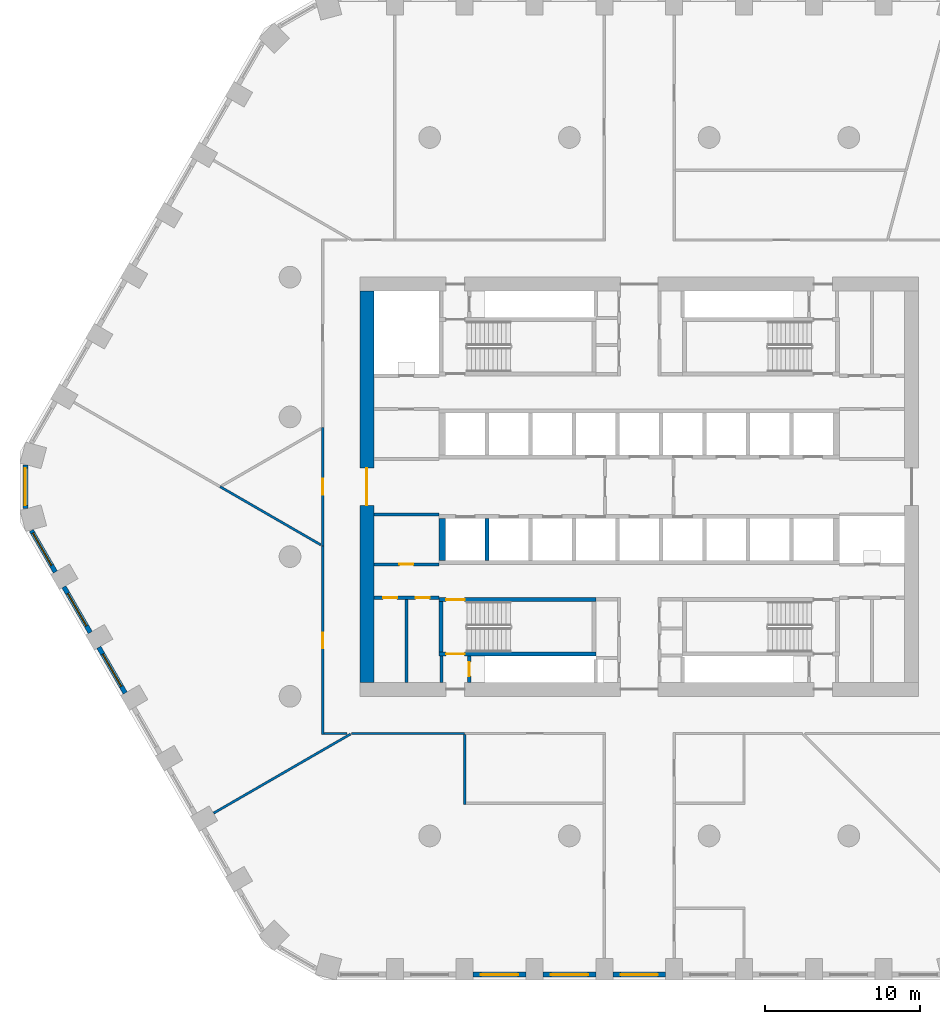
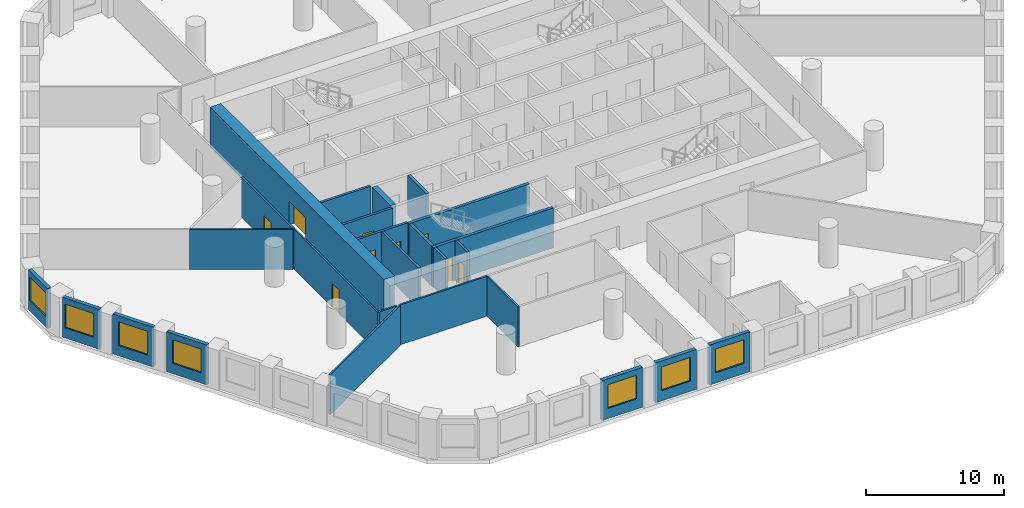
# One storey, part 2 of 10: 26 walls, 9 doors, 7 windows, 16 openings.
"""IFC4 building model written with IfcOpenShell, lengths in metres."""

from ifc_helpers import new_model, si_unit, direction, frame, frame_2d, origin, place, context, subcontext, project, spatial, polyline, rectangle, outline, extrude, material, layer, layer_set, type_object, element, fill, save


model = new_model("IFC4")

# Units and contexts
model_context = context("Model", 3, precision=1e-05, world=origin(), true_north=direction((0.0, 1.0)))
body_context = subcontext(model_context, "Body", "Model", "MODEL_VIEW")
ifc_project = project(units=[si_unit("LENGTHUNIT", "METRE"), si_unit("AREAUNIT", "SQUARE_METRE"), si_unit("VOLUMEUNIT", "CUBIC_METRE"), si_unit("PLANEANGLEUNIT", "RADIAN"), si_unit("MASSUNIT", "GRAM", prefix="KILO")], contexts=[model_context])

# Site, building, storey
site_placement = place(None, origin())
site = spatial("IfcSite", under=ifc_project, at=site_placement, CompositionType="ELEMENT")
building_placement = place(site_placement, origin())
building = spatial("IfcBuilding", under=site, at=building_placement, Name="Dhurran Vertical Campus", CompositionType="ELEMENT")
storey_placement = place(building_placement, frame((0.0, 0.0, 45.60009765625)))
storey = spatial("IfcBuildingStorey", under=building, at=storey_placement, Name="L10", CompositionType="ELEMENT", Elevation=45.60009765625)

# Wall, opening, window
ifc_material_1 = material(Name="Precast concrete C50/60", Category="concrete")
ifc_layer_1 = layer(ifc_material_1, 0.300048828125)
ifc_layer_set_1 = layer_set([ifc_layer_1], Name="Precast concrete C50/60")
wall_type_1 = type_object("IfcWallType", Name="Precast spandrel wall 300", PredefinedType="SOLIDWALL", material=ifc_layer_set_1)
wall_1_placement = place(storey_placement, frame((-10.699462890625, -31.4296875, 0.0), z_axis=(0.0, 0.0, 1.0), x_axis=(1.0, 0.0, 0.0)))
wall_1 = element("IfcWall", 1, at=wall_1_placement, inside=storey, type_object=wall_type_1, Name="EW1 L10.02", PredefinedType="SOLIDWALL", context=body_context, shape_type="SweptSolid", body=[
    extrude(rectangle(XDim=3.39892578125, YDim=0.300048828125, at=frame_2d((1.699462890625, 0.0))), origin(), (0.0, 0.0, 1.0), 3.52490234375),
])
opening_1_placement = place(wall_1_placement, frame((0.49951171875, 0.0, 0.89990234375)))
opening_1 = element("IfcOpeningElement", 2, at=opening_1_placement, cuts=wall_1, Name="Opening WT1", PredefinedType="OPENING", context=body_context, shape_type="SweptSolid", body=[
    extrude(rectangle(XDim=2.39990234375, YDim=2.10009765625, at=frame_2d((1.199951171875, 1.050048828125))), frame((0.0, 0.159912109375, 0.0), z_axis=(0.0, -1.0, 0.0), x_axis=(1.0, 0.0, 0.0)), (0.0, 0.0, 1.0), 0.320068359375),
])
ifc_material_2 = material(Name="Aluminium frame with solar-control glass", Category="aluminium")
window_type = type_object("IfcWindowType", Name="Punched window 2400 x 2100", PartitioningType="SINGLE_PANEL", PredefinedType="WINDOW", material=ifc_material_2)
window_1_placement = place(opening_1_placement, origin())
window_1 = element("IfcWindow", 3, at=window_1_placement, inside=storey, type_object=window_type, Name="WT1 L10.02", OverallHeight=2.10009765625, OverallWidth=2.39990234375, PartitioningType="SINGLE_PANEL", PredefinedType="WINDOW", context=body_context, shape_type="SweptSolid", body=[
    extrude(rectangle(XDim=2.39990234375, YDim=2.10009765625, at=frame_2d((1.199951171875, 1.050048828125))), frame((0.0, 0.030029296875, 0.0), z_axis=(0.0, -1.0, 0.0), x_axis=(1.0, 0.0, 0.0)), (0.0, 0.0, 1.0), 0.06005859375),
])
fill(opening_1, window_1)

wall_2_placement = place(storey_placement, frame((-6.199462890625, -31.4296875, 0.0), z_axis=(0.0, 0.0, 1.0), x_axis=(1.0, 0.0, 0.0)))
wall_2 = element("IfcWall", 4, at=wall_2_placement, inside=storey, type_object=wall_type_1, Name="EW1 L10.03", PredefinedType="SOLIDWALL", context=body_context, shape_type="SweptSolid", body=[
    extrude(rectangle(XDim=3.39892578125, YDim=0.300048828125, at=frame_2d((1.699462890625, 0.0))), origin(), (0.0, 0.0, 1.0), 3.52490234375),
])
opening_2_placement = place(wall_2_placement, frame((0.49951171875, 0.0, 0.89990234375)))
opening_2 = element("IfcOpeningElement", 5, at=opening_2_placement, cuts=wall_2, Name="Opening WT1", PredefinedType="OPENING", context=body_context, shape_type="SweptSolid", body=[
    extrude(rectangle(XDim=2.39990234375, YDim=2.10009765625, at=frame_2d((1.199951171875, 1.050048828125))), frame((0.0, 0.159912109375, 0.0), z_axis=(0.0, -1.0, 0.0), x_axis=(1.0, 0.0, 0.0)), (0.0, 0.0, 1.0), 0.320068359375),
])
window_2_placement = place(opening_2_placement, origin())
window_2 = element("IfcWindow", 6, at=window_2_placement, inside=storey, type_object=window_type, Name="WT1 L10.03", OverallHeight=2.10009765625, OverallWidth=2.39990234375, PartitioningType="SINGLE_PANEL", PredefinedType="WINDOW", context=body_context, shape_type="SweptSolid", body=[
    extrude(rectangle(XDim=2.39990234375, YDim=2.10009765625, at=frame_2d((1.199951171875, 1.050048828125))), frame((0.0, 0.030029296875, 0.0), z_axis=(0.0, -1.0, 0.0), x_axis=(1.0, 0.0, 0.0)), (0.0, 0.0, 1.0), 0.06005859375),
])
fill(opening_2, window_2)

wall_3_placement = place(storey_placement, frame((-1.699462890625, -31.4296875, 0.0), z_axis=(0.0, 0.0, 1.0), x_axis=(1.0, 0.0, 0.0)))
wall_3 = element("IfcWall", 7, at=wall_3_placement, inside=storey, type_object=wall_type_1, Name="EW1 L10.04", PredefinedType="SOLIDWALL", context=body_context, shape_type="SweptSolid", body=[
    extrude(rectangle(XDim=3.39892578125, YDim=0.300048828125, at=frame_2d((1.699462890625, 0.0))), origin(), (0.0, 0.0, 1.0), 3.52490234375),
])
opening_3_placement = place(wall_3_placement, frame((0.49951171875, 0.0, 0.89990234375)))
opening_3 = element("IfcOpeningElement", 8, at=opening_3_placement, cuts=wall_3, Name="Opening WT1", PredefinedType="OPENING", context=body_context, shape_type="SweptSolid", body=[
    extrude(rectangle(XDim=2.39990234375, YDim=2.10009765625, at=frame_2d((1.199951171875, 1.050048828125))), frame((0.0, 0.159912109375, 0.0), z_axis=(0.0, -1.0, 0.0), x_axis=(1.0, 0.0, 0.0)), (0.0, 0.0, 1.0), 0.320068359375),
])
window_3_placement = place(opening_3_placement, origin())
window_3 = element("IfcWindow", 9, at=window_3_placement, inside=storey, type_object=window_type, Name="WT1 L10.04", OverallHeight=2.10009765625, OverallWidth=2.39990234375, PartitioningType="SINGLE_PANEL", PredefinedType="WINDOW", context=body_context, shape_type="SweptSolid", body=[
    extrude(rectangle(XDim=2.39990234375, YDim=2.10009765625, at=frame_2d((1.199951171875, 1.050048828125))), frame((0.0, 0.030029296875, 0.0), z_axis=(0.0, -1.0, 0.0), x_axis=(1.0, 0.0, 0.0)), (0.0, 0.0, 1.0), 0.06005859375),
])
fill(opening_3, window_3)

wall_4_placement = place(storey_placement, frame((-39.547119140625, 1.39111328125, 0.0), z_axis=(0.0, 0.0, 1.0), x_axis=(0.0, -1.0, 0.0)))
wall_4 = element("IfcWall", 10, at=wall_4_placement, inside=storey, type_object=wall_type_1, Name="EW1 L10.43", PredefinedType="SOLIDWALL", context=body_context, shape_type="SweptSolid", body=[
    extrude(rectangle(XDim=2.7822265625, YDim=0.300048828125, at=frame_2d((1.39111328125, 0.0))), origin(), (0.0, 0.0, 1.0), 3.52490234375),
])
opening_4_placement = place(wall_4_placement, frame((0.191162109375, 0.0, 0.89990234375)))
opening_4 = element("IfcOpeningElement", 11, at=opening_4_placement, cuts=wall_4, Name="Opening WT1", PredefinedType="OPENING", context=body_context, shape_type="SweptSolid", body=[
    extrude(rectangle(XDim=2.39990234375, YDim=2.10009765625, at=frame_2d((1.199951171875, 1.050048828125))), frame((0.0, 0.159912109375, 0.0), z_axis=(0.0, -1.0, 0.0), x_axis=(1.0, 0.0, 0.0)), (0.0, 0.0, 1.0), 0.320068359375),
])
window_4_placement = place(opening_4_placement, origin())
window_4 = element("IfcWindow", 12, at=window_4_placement, inside=storey, type_object=window_type, Name="WT1 L10.43", OverallHeight=2.10009765625, OverallWidth=2.39990234375, PartitioningType="SINGLE_PANEL", PredefinedType="WINDOW", context=body_context, shape_type="SweptSolid", body=[
    extrude(rectangle(XDim=2.39990234375, YDim=2.10009765625, at=frame_2d((1.199951171875, 1.050048828125))), frame((0.0, 0.030029296875, 0.0), z_axis=(0.0, -1.0, 0.0), x_axis=(1.0, 0.0, 0.0)), (0.0, 0.0, 1.0), 0.06005859375),
])
fill(opening_4, window_4)

wall_5_placement = place(storey_placement, frame((-39.16455078125, -2.81884765625, 0.0), z_axis=(0.0, 0.0, 1.0), x_axis=(0.49997090907, -0.866042198789, 0.0)))
wall_5 = element("IfcWall", 13, at=wall_5_placement, inside=storey, type_object=wall_type_1, Name="EW1 L10.44", PredefinedType="SOLIDWALL", context=body_context, shape_type="SweptSolid", body=[
    extrude(rectangle(XDim=3.090576171875, YDim=0.300048828125, at=frame_2d((1.54541015625, 0.0))), origin(), (0.0, 0.0, 1.0), 3.52490234375),
])
opening_5_placement = place(wall_5_placement, frame((0.19091796875, 0.0, 0.89990234375)))
opening_5 = element("IfcOpeningElement", 14, at=opening_5_placement, cuts=wall_5, Name="Opening WT1", PredefinedType="OPENING", context=body_context, shape_type="SweptSolid", body=[
    extrude(rectangle(XDim=2.39990234375, YDim=2.10009765625, at=frame_2d((1.199951171875, 1.050048828125))), frame((0.0, 0.159912109375, 0.0), z_axis=(0.0, -1.0, 0.0), x_axis=(1.0, 0.0, 0.0)), (0.0, 0.0, 1.0), 0.320068359375),
])
window_5_placement = place(opening_5_placement, origin())
window_5 = element("IfcWindow", 15, at=window_5_placement, inside=storey, type_object=window_type, Name="WT1 L10.44", OverallHeight=2.10009765625, OverallWidth=2.39990234375, PartitioningType="SINGLE_PANEL", PredefinedType="WINDOW", context=body_context, shape_type="SweptSolid", body=[
    extrude(rectangle(XDim=2.39990234375, YDim=2.10009765625, at=frame_2d((1.199951171875, 1.050048828125))), frame((0.0, 0.030029296875, 0.0), z_axis=(0.0, -1.0, 0.0), x_axis=(1.0, 0.0, 0.0)), (0.0, 0.0, 1.0), 0.06005859375),
])
fill(opening_5, window_5)

wall_6_placement = place(storey_placement, frame((-37.06884765625, -6.448974609375, 0.0), z_axis=(0.0, 0.0, 1.0), x_axis=(0.499993955907, -0.866028893315, 0.0)))
wall_6 = element("IfcWall", 16, at=wall_6_placement, inside=storey, type_object=wall_type_1, Name="EW1 L10.45", PredefinedType="SOLIDWALL", context=body_context, shape_type="SweptSolid", body=[
    extrude(rectangle(XDim=3.39892578125, YDim=0.300048828125, at=frame_2d((1.699462890625, 0.0))), origin(), (0.0, 0.0, 1.0), 3.52490234375),
])
opening_6_placement = place(wall_6_placement, frame((0.49951171875, 0.0, 0.89990234375)))
opening_6 = element("IfcOpeningElement", 17, at=opening_6_placement, cuts=wall_6, Name="Opening WT1", PredefinedType="OPENING", context=body_context, shape_type="SweptSolid", body=[
    extrude(rectangle(XDim=2.39990234375, YDim=2.10009765625, at=frame_2d((1.199951171875, 1.050048828125))), frame((0.0, 0.159912109375, 0.0), z_axis=(0.0, -1.0, 0.0), x_axis=(1.0, 0.0, 0.0)), (0.0, 0.0, 1.0), 0.320068359375),
])
window_6_placement = place(opening_6_placement, origin())
window_6 = element("IfcWindow", 18, at=window_6_placement, inside=storey, type_object=window_type, Name="WT1 L10.45", OverallHeight=2.10009765625, OverallWidth=2.39990234375, PartitioningType="SINGLE_PANEL", PredefinedType="WINDOW", context=body_context, shape_type="SweptSolid", body=[
    extrude(rectangle(XDim=2.39990234375, YDim=2.10009765625, at=frame_2d((1.199951171875, 1.050048828125))), frame((0.0, 0.030029296875, 0.0), z_axis=(0.0, -1.0, 0.0), x_axis=(1.0, 0.0, 0.0)), (0.0, 0.0, 1.0), 0.06005859375),
])
fill(opening_6, window_6)

wall_7_placement = place(storey_placement, frame((-34.81884765625, -10.345947265625, 0.0), z_axis=(0.0, 0.0, 1.0), x_axis=(0.499993955907, -0.866028893315, 0.0)))
wall_7 = element("IfcWall", 19, at=wall_7_placement, inside=storey, type_object=wall_type_1, Name="EW1 L10.46", PredefinedType="SOLIDWALL", context=body_context, shape_type="SweptSolid", body=[
    extrude(rectangle(XDim=3.39892578125, YDim=0.300048828125, at=frame_2d((1.699462890625, 0.0))), origin(), (0.0, 0.0, 1.0), 3.52490234375),
])
opening_7_placement = place(wall_7_placement, frame((0.49951171875, 0.0, 0.89990234375)))
opening_7 = element("IfcOpeningElement", 20, at=opening_7_placement, cuts=wall_7, Name="Opening WT1", PredefinedType="OPENING", context=body_context, shape_type="SweptSolid", body=[
    extrude(rectangle(XDim=2.39990234375, YDim=2.10009765625, at=frame_2d((1.199951171875, 1.050048828125))), frame((0.0, 0.159912109375, 0.0), z_axis=(0.0, -1.0, 0.0), x_axis=(1.0, 0.0, 0.0)), (0.0, 0.0, 1.0), 0.320068359375),
])
window_7_placement = place(opening_7_placement, origin())
window_7 = element("IfcWindow", 21, at=window_7_placement, inside=storey, type_object=window_type, Name="WT1 L10.46", OverallHeight=2.10009765625, OverallWidth=2.39990234375, PartitioningType="SINGLE_PANEL", PredefinedType="WINDOW", context=body_context, shape_type="SweptSolid", body=[
    extrude(rectangle(XDim=2.39990234375, YDim=2.10009765625, at=frame_2d((1.199951171875, 1.050048828125))), frame((0.0, 0.030029296875, 0.0), z_axis=(0.0, -1.0, 0.0), x_axis=(1.0, 0.0, 0.0)), (0.0, 0.0, 1.0), 0.06005859375),
])
fill(opening_7, window_7)

# Wall, opening, door
ifc_material_3 = material(Name="Concrete C60/75", Category="concrete")
ifc_layer_2 = layer(ifc_material_3, 0.89990234375)
ifc_layer_set_2 = layer_set([ifc_layer_2], Name="Concrete C60/75")
wall_type_2 = type_object("IfcWallType", Name="co-CORE-WALL-C0-900", PredefinedType="SHEAR", material=ifc_layer_set_2)
wall_8_placement = place(storey_placement, frame((-17.550048828125, -12.60009765625, 0.0), z_axis=(0.0, 0.0, 1.0), x_axis=(0.0, 1.0, 0.0)))
wall_8 = element("IfcWall", 22, at=wall_8_placement, inside=storey, type_object=wall_type_2, Name="Core wall W L10", PredefinedType="SHEAR", context=body_context, shape_type="SweptSolid", body=[
    extrude(rectangle(XDim=25.2001953125, YDim=0.89990234375, at=frame_2d((12.60009765625, 0.0))), origin(), (0.0, 0.0, 1.0), 3.52490234375),
])
opening_8_placement = place(wall_8_placement, frame((11.39990234375, 0.0, 0.0)))
opening_8 = element("IfcOpeningElement", 23, at=opening_8_placement, cuts=wall_8, Name="Opening CL1", PredefinedType="OPENING", context=body_context, shape_type="SweptSolid", body=[
    extrude(rectangle(XDim=2.39990234375, YDim=2.10009765625, at=frame_2d((1.199951171875, 1.050048828125))), frame((0.0, 0.4599609375, 0.0), z_axis=(0.0, -1.0, 0.0), x_axis=(1.0, 0.0, 0.0)), (0.0, 0.0, 1.0), 0.919921875),
])
ifc_material_4 = material(Name="Fire-rated glazed door set")
door_type_1 = type_object("IfcDoorType", Name="co-D-LOBBY 2400x2100", OperationType="DOUBLE_DOOR_DOUBLE_SWING", PredefinedType="DOOR", material=ifc_material_4)
door_1_placement = place(opening_8_placement, origin())
door_1 = element("IfcDoor", 24, at=door_1_placement, inside=storey, type_object=door_type_1, Name="Lift lobby door W L10", OperationType="DOUBLE_DOOR_DOUBLE_SWING", OverallHeight=2.10009765625, OverallWidth=2.39990234375, PredefinedType="DOOR", context=body_context, shape_type="SweptSolid", body=[
    extrude(rectangle(XDim=2.39990234375, YDim=2.10009765625, at=frame_2d((1.199951171875, 1.050048828125))), frame((0.0, 0.02490234375, 0.0), z_axis=(0.0, -1.0, 0.0), x_axis=(1.0, 0.0, 0.0)), (0.0, 0.0, 1.0), 0.050048828125),
])
fill(opening_8, door_1)

# Wall
ifc_material_5 = material(Name="Fire-rated masonry blockwork", Category="masonry")
ifc_layer_3 = layer(ifc_material_5, 0.199951171875)
ifc_layer_set_3 = layer_set([ifc_layer_3], Name="Fire-rated masonry blockwork")
wall_type_3 = type_object("IfcWallType", Name="co-FIRE-PARTITION-200", PredefinedType="PARTITIONING", material=ifc_layer_set_3)
wall_9_placement = place(storey_placement, frame((-12.75, -12.60009765625, 0.0), z_axis=(0.0, 0.0, 1.0), x_axis=(0.0, 1.0, 0.0)))
element("IfcWall", 25, at=wall_9_placement, inside=storey, type_object=wall_type_3, Name="Core partition pass-ST3-o L10", PredefinedType="PARTITIONING", context=body_context, shape_type="SweptSolid", body=[
    extrude(rectangle(XDim=1.7001953125, YDim=0.199951171875, at=frame_2d((0.85009765625, 0.0))), origin(), (0.0, 0.0, 1.0), 3.52490234375),
])

# Wall, opening, door
wall_10_placement = place(storey_placement, frame((-10.949951171875, -12.60009765625, 0.0), z_axis=(0.0, 0.0, 1.0), x_axis=(0.0, 1.0, 0.0)))
wall_10 = element("IfcWall", 26, at=wall_10_placement, inside=storey, type_object=wall_type_3, Name="Core partition pass-ST3-i L10", PredefinedType="PARTITIONING", context=body_context, shape_type="SweptSolid", body=[
    extrude(rectangle(XDim=1.7001953125, YDim=0.199951171875, at=frame_2d((0.85009765625, 0.0))), origin(), (0.0, 0.0, 1.0), 3.52490234375),
])
opening_9_placement = place(wall_10_placement, frame((0.39990234375, 0.0, 0.0)))
opening_9 = element("IfcOpeningElement", 27, at=opening_9_placement, cuts=wall_10, Name="Opening T02-C12", PredefinedType="OPENING", context=body_context, shape_type="SweptSolid", body=[
    extrude(rectangle(XDim=0.89990234375, YDim=2.10009765625, at=frame_2d((0.449951171875, 1.050048828125))), frame((0.0, 0.10986328125, 0.0), z_axis=(0.0, -1.0, 0.0), x_axis=(1.0, 0.0, 0.0)), (0.0, 0.0, 1.0), 0.219970703125),
])
ifc_material_6 = material(Name="Fire-rated timber door set", Category="wood")
door_type_2 = type_object("IfcDoorType", Name="co-D-ROOM 900x2100", OperationType="SINGLE_SWING_LEFT", PredefinedType="DOOR", material=ifc_material_6)
door_2_placement = place(opening_9_placement, origin())
door_2 = element("IfcDoor", 28, at=door_2_placement, inside=storey, type_object=door_type_2, Name="Riser room door L10", OperationType="SINGLE_SWING_LEFT", OverallHeight=2.10009765625, OverallWidth=0.89990234375, PredefinedType="DOOR", context=body_context, shape_type="SweptSolid", body=[
    extrude(rectangle(XDim=0.89990234375, YDim=2.10009765625, at=frame_2d((0.449951171875, 1.050048828125))), frame((0.0, 0.02490234375, 0.0), z_axis=(0.0, -1.0, 0.0), x_axis=(1.0, 0.0, 0.0)), (0.0, 0.0, 1.0), 0.050048828125),
])
fill(opening_9, door_2)

# Wall
wall_11_placement = place(storey_placement, frame((-15.0, -12.60009765625, 0.0), z_axis=(0.0, 0.0, 1.0), x_axis=(0.0, 1.0, 0.0)))
element("IfcWall", 29, at=wall_11_placement, inside=storey, type_object=wall_type_3, Name="Core partition en-SW-cut0 L10", PredefinedType="PARTITIONING", context=body_context, shape_type="SweptSolid", body=[
    extrude(rectangle(XDim=5.4501953125, YDim=0.199951171875, at=frame_2d((2.72509765625, 0.0))), origin(), (0.0, 0.0, 1.0), 3.52490234375),
])

# Wall, openings, doors
wall_12_placement = place(storey_placement, frame((-17.10009765625, -7.14990234375, 0.0), z_axis=(0.0, 0.0, 1.0), x_axis=(1.0, 0.0, 0.0)))
wall_12 = element("IfcWall", 30, at=wall_12_placement, inside=storey, type_object=wall_type_3, Name="Core partition en-SW-w L10", PredefinedType="PARTITIONING", context=body_context, shape_type="SweptSolid", body=[
    extrude(rectangle(XDim=4.2001953125, YDim=0.199951171875, at=frame_2d((2.10009765625, 0.0))), origin(), (0.0, 0.0, 1.0), 3.52490234375),
])
opening_10_placement = place(wall_12_placement, frame((0.60009765625, 0.0, 0.0)))
opening_10 = element("IfcOpeningElement", 31, at=opening_10_placement, cuts=wall_12, Name="Opening T02-C19", PredefinedType="OPENING", context=body_context, shape_type="SweptSolid", body=[
    extrude(rectangle(XDim=0.89990234375, YDim=2.10009765625, at=frame_2d((0.449951171875, 1.050048828125))), frame((0.0, 0.10986328125, 0.0), z_axis=(0.0, -1.0, 0.0), x_axis=(1.0, 0.0, 0.0)), (0.0, 0.0, 1.0), 0.219970703125),
])
opening_11_placement = place(wall_12_placement, frame((2.699951171875, 0.0, 0.0)))
opening_11 = element("IfcOpeningElement", 32, at=opening_11_placement, cuts=wall_12, Name="Opening T02-C20", PredefinedType="OPENING", context=body_context, shape_type="SweptSolid", body=[
    extrude(rectangle(XDim=0.89990234375, YDim=2.10009765625, at=frame_2d((0.449951171875, 1.050048828125))), frame((0.0, 0.10986328125, 0.0), z_axis=(0.0, -1.0, 0.0), x_axis=(1.0, 0.0, 0.0)), (0.0, 0.0, 1.0), 0.219970703125),
])
door_3_placement = place(opening_10_placement, origin())
door_3 = element("IfcDoor", 33, at=door_3_placement, inside=storey, type_object=door_type_2, Name="Plant room door L10", OperationType="SINGLE_SWING_LEFT", OverallHeight=2.10009765625, OverallWidth=0.89990234375, PredefinedType="DOOR", context=body_context, shape_type="SweptSolid", body=[
    extrude(rectangle(XDim=0.89990234375, YDim=2.10009765625, at=frame_2d((0.449951171875, 1.050048828125))), frame((0.0, 0.02490234375, 0.0), z_axis=(0.0, -1.0, 0.0), x_axis=(1.0, 0.0, 0.0)), (0.0, 0.0, 1.0), 0.050048828125),
])
fill(opening_10, door_3)
door_4_placement = place(opening_11_placement, origin())
door_4 = element("IfcDoor", 34, at=door_4_placement, inside=storey, type_object=door_type_2, Name="Plant room door L10", OperationType="SINGLE_SWING_LEFT", OverallHeight=2.10009765625, OverallWidth=0.89990234375, PredefinedType="DOOR", context=body_context, shape_type="SweptSolid", body=[
    extrude(rectangle(XDim=0.89990234375, YDim=2.10009765625, at=frame_2d((0.449951171875, 1.050048828125))), frame((0.0, 0.02490234375, 0.0), z_axis=(0.0, -1.0, 0.0), x_axis=(1.0, 0.0, 0.0)), (0.0, 0.0, 1.0), 0.050048828125),
])
fill(opening_11, door_4)

# Wall, opening, door
wall_13_placement = place(storey_placement, frame((-17.10009765625, -5.0, 0.0), z_axis=(0.0, 0.0, 1.0), x_axis=(1.0, 0.0, 0.0)))
wall_13 = element("IfcWall", 35, at=wall_13_placement, inside=storey, type_object=wall_type_3, Name="Core partition es-SW-w L10", PredefinedType="PARTITIONING", context=body_context, shape_type="SweptSolid", body=[
    extrude(rectangle(XDim=4.2001953125, YDim=0.199951171875, at=frame_2d((2.10009765625, 0.0))), origin(), (0.0, 0.0, 1.0), 3.52490234375),
])
opening_12_placement = place(wall_13_placement, frame((1.64990234375, 0.0, 0.0)))
opening_12 = element("IfcOpeningElement", 36, at=opening_12_placement, cuts=wall_13, Name="Opening T02-C21", PredefinedType="OPENING", context=body_context, shape_type="SweptSolid", body=[
    extrude(rectangle(XDim=0.89990234375, YDim=2.10009765625, at=frame_2d((0.449951171875, 1.050048828125))), frame((0.0, 0.10986328125, 0.0), z_axis=(0.0, -1.0, 0.0), x_axis=(1.0, 0.0, 0.0)), (0.0, 0.0, 1.0), 0.219970703125),
])
door_5_placement = place(opening_12_placement, origin())
door_5 = element("IfcDoor", 37, at=door_5_placement, inside=storey, type_object=door_type_2, Name="Store door L10", OperationType="SINGLE_SWING_LEFT", OverallHeight=2.10009765625, OverallWidth=0.89990234375, PredefinedType="DOOR", context=body_context, shape_type="SweptSolid", body=[
    extrude(rectangle(XDim=0.89990234375, YDim=2.10009765625, at=frame_2d((0.449951171875, 1.050048828125))), frame((0.0, 0.02490234375, 0.0), z_axis=(0.0, -1.0, 0.0), x_axis=(1.0, 0.0, 0.0)), (0.0, 0.0, 1.0), 0.050048828125),
])
fill(opening_12, door_5)

# Walls
wall_14_placement = place(storey_placement, frame((-17.10009765625, -1.800048828125, 0.0), z_axis=(0.0, 0.0, 1.0), x_axis=(1.0, 0.0, 0.0)))
element("IfcWall", 38, at=wall_14_placement, inside=storey, type_object=wall_type_3, Name="Core partition es-SW-l L10", PredefinedType="PARTITIONING", context=body_context, shape_type="SweptSolid", body=[
    extrude(rectangle(XDim=4.2001953125, YDim=0.199951171875, at=frame_2d((2.10009765625, 0.0))), origin(), (0.0, 0.0, 1.0), 3.52490234375),
])
ifc_material_7 = material(Name="Concrete C50/60", Category="concrete")
ifc_layer_4 = layer(ifc_material_7, 0.25)
ifc_layer_set_4 = layer_set([ifc_layer_4], Name="Concrete C50/60")
wall_type_4 = type_object("IfcWallType", Name="co-SHAFT-MASS-250", PredefinedType="SHEAR", material=ifc_layer_set_4)
wall_15_placement = place(storey_placement, origin())
element("IfcWall", 39, at=wall_15_placement, inside=storey, type_object=wall_type_4, Name="Lift shaft wall S L10 2", PredefinedType="SHEAR", context=body_context, shape_type="SweptSolid", body=[
    extrude(outline(polyline([(-12.89990234375, -4.75), (-12.47509765625, -4.75), (-12.47509765625, -2.050048828125), (-12.89990234375, -2.050048828125), (-12.89990234375, -4.75)])), origin(), (0.0, 0.0, 1.0), 3.52490234375),
])
wall_16_placement = place(storey_placement, origin())
element("IfcWall", 40, at=wall_16_placement, inside=storey, type_object=wall_type_4, Name="Lift shaft wall S L10 3", PredefinedType="SHEAR", context=body_context, shape_type="SweptSolid", body=[
    extrude(outline(polyline([(-9.925048828125, -4.75), (-9.675048828125, -4.75), (-9.675048828125, -2.050048828125), (-9.925048828125, -2.050048828125), (-9.925048828125, -4.75)])), origin(), (0.0, 0.0, 1.0), 3.52490234375),
])

# Wall, opening, door
ifc_material_8 = material(Name="Concrete C40/50", Category="concrete")
ifc_layer_5 = layer(ifc_material_8, 0.25)
ifc_layer_set_5 = layer_set([ifc_layer_5], Name="Concrete C40/50")
wall_type_5 = type_object("IfcWallType", Name="co-STAIR-WALL-250", PredefinedType="SHEAR", material=ifc_layer_set_5)
wall_17_placement = place(storey_placement, frame((-12.89990234375, -10.77490234375, 0.0), z_axis=(0.0, 0.0, 1.0), x_axis=(1.0, 0.0, 0.0)))
wall_17 = element("IfcWall", 41, at=wall_17_placement, inside=storey, type_object=wall_type_5, Name="Stair ST3 enclosure wall L10", PredefinedType="SHEAR", context=body_context, shape_type="SweptSolid", body=[
    extrude(rectangle(XDim=10.099853515625, YDim=0.25, at=frame_2d((5.0498046875, 0.0))), origin(), (0.0, 0.0, 1.0), 3.52490234375),
])
opening_13_placement = place(wall_17_placement, frame((0.449951171875, 0.0, 0.0)))
opening_13 = element("IfcOpeningElement", 42, at=opening_13_placement, cuts=wall_17, Name="Opening XS3", PredefinedType="OPENING", context=body_context, shape_type="SweptSolid", body=[
    extrude(rectangle(XDim=1.199951171875, YDim=2.10009765625, at=frame_2d((0.60009765625, 1.050048828125))), frame((0.0, 0.135009765625, 0.0), z_axis=(0.0, -1.0, 0.0), x_axis=(1.0, 0.0, 0.0)), (0.0, 0.0, 1.0), 0.27001953125),
])
ifc_material_9 = material(Name="Fire-rated steel door set", Category="steel")
door_type_3 = type_object("IfcDoorType", Name="co-D-STAIR-EXIT 1200x2100", OperationType="SINGLE_SWING_RIGHT", PredefinedType="DOOR", material=ifc_material_9)
door_6_placement = place(opening_13_placement, origin())
door_6 = element("IfcDoor", 43, at=door_6_placement, inside=storey, type_object=door_type_3, Name="Stair ST3 discharge door L10", OperationType="SINGLE_SWING_RIGHT", OverallHeight=2.10009765625, OverallWidth=1.199951171875, PredefinedType="DOOR", context=body_context, shape_type="SweptSolid", body=[
    extrude(rectangle(XDim=1.199951171875, YDim=2.10009765625, at=frame_2d((0.60009765625, 1.050048828125))), frame((0.0, 0.02490234375, 0.0), z_axis=(0.0, -1.0, 0.0), x_axis=(1.0, 0.0, 0.0)), (0.0, 0.0, 1.0), 0.050048828125),
])
fill(opening_13, door_6)

wall_18_placement = place(storey_placement, frame((-12.89990234375, -7.27490234375, 0.0), z_axis=(0.0, 0.0, 1.0), x_axis=(1.0, 0.0, 0.0)))
wall_18 = element("IfcWall", 44, at=wall_18_placement, inside=storey, type_object=wall_type_5, Name="Stair ST3 enclosure wall L10", PredefinedType="SHEAR", context=body_context, shape_type="SweptSolid", body=[
    extrude(rectangle(XDim=10.099853515625, YDim=0.25, at=frame_2d((5.0498046875, 0.0))), origin(), (0.0, 0.0, 1.0), 3.52490234375),
])
opening_14_placement = place(wall_18_placement, frame((0.449951171875, 0.0, 0.0)))
opening_14 = element("IfcOpeningElement", 45, at=opening_14_placement, cuts=wall_18, Name="Opening SD3", PredefinedType="OPENING", context=body_context, shape_type="SweptSolid", body=[
    extrude(rectangle(XDim=1.199951171875, YDim=2.10009765625, at=frame_2d((0.60009765625, 1.050048828125))), frame((0.0, 0.135009765625, 0.0), z_axis=(0.0, -1.0, 0.0), x_axis=(1.0, 0.0, 0.0)), (0.0, 0.0, 1.0), 0.27001953125),
])
ifc_material_10 = material(Name="Fire-rated steel door set", Category="steel")
door_type_4 = type_object("IfcDoorType", Name="co-D-STAIR 1200x2100", OperationType="SINGLE_SWING_LEFT", PredefinedType="DOOR", material=ifc_material_10)
door_7_placement = place(opening_14_placement, origin())
door_7 = element("IfcDoor", 46, at=door_7_placement, inside=storey, type_object=door_type_4, Name="Stair ST3 door L10", OperationType="SINGLE_SWING_LEFT", OverallHeight=2.10009765625, OverallWidth=1.199951171875, PredefinedType="DOOR", context=body_context, shape_type="SweptSolid", body=[
    extrude(rectangle(XDim=1.199951171875, YDim=2.10009765625, at=frame_2d((0.60009765625, 1.050048828125))), frame((0.0, 0.02490234375, 0.0), z_axis=(0.0, -1.0, 0.0), x_axis=(1.0, 0.0, 0.0)), (0.0, 0.0, 1.0), 0.050048828125),
])
fill(opening_14, door_7)

# Wall
wall_19_placement = place(storey_placement, frame((-12.77490234375, -10.64990234375, 0.0), z_axis=(0.0, 0.0, 1.0), x_axis=(0.0, 1.0, 0.0)))
element("IfcWall", 47, at=wall_19_placement, inside=storey, type_object=wall_type_5, Name="Stair ST3 enclosure wall L10", PredefinedType="SHEAR", context=body_context, shape_type="SweptSolid", body=[
    extrude(rectangle(XDim=3.25, YDim=0.25, at=frame_2d((1.625, 0.0))), origin(), (0.0, 0.0, 1.0), 3.52490234375),
])

# Wall, opening, door
ifc_material_11 = material(Name="Gypsum board corridor wall on steel studs", Category="steel")
ifc_layer_6 = layer(ifc_material_11, 0.14990234375)
ifc_layer_set_6 = layer_set([ifc_layer_6], Name="Gypsum board corridor wall on steel studs")
wall_type_6 = type_object("IfcWallType", Name="fl-CW-150 corridor wall", PredefinedType="PARTITIONING", material=ifc_layer_set_6)
wall_20_placement = place(storey_placement, frame((-20.39990234375, -3.81103515625, 0.0), z_axis=(0.0, 0.0, 1.0), x_axis=(0.0, -1.0, 0.0)))
wall_20 = element("IfcWall", 48, at=wall_20_placement, inside=storey, type_object=wall_type_6, Name="Partition 10-06", PredefinedType="PARTITIONING", context=body_context, shape_type="SweptSolid", body=[
    extrude(rectangle(XDim=12.1640625, YDim=0.14990234375, at=frame_2d((6.08203125, 0.0))), origin(), (0.0, 0.0, 1.0), 3.52490234375),
])
opening_15_placement = place(wall_20_placement, frame((5.58203125, 0.0, 0.0)))
opening_15 = element("IfcOpeningElement", 49, at=opening_15_placement, cuts=wall_20, Name="Opening T02.01", PredefinedType="OPENING", context=body_context, shape_type="SweptSolid", body=[
    extrude(rectangle(XDim=1.0, YDim=2.10009765625, at=frame_2d((0.5, 1.050048828125))), frame((0.0, 0.0849609375, 0.0), z_axis=(0.0, -1.0, 0.0), x_axis=(1.0, 0.0, 0.0)), (0.0, 0.0, 1.0), 0.169921875),
])
ifc_material_12 = material(Name="Solid-core timber door set, fire-rated", Category="wood")
door_type_5 = type_object("IfcDoorType", Name="fl-D-1000x2100", OperationType="SINGLE_SWING_LEFT", PredefinedType="DOOR", material=ifc_material_12)
door_8_placement = place(opening_15_placement, origin())
door_8 = element("IfcDoor", 50, at=door_8_placement, inside=storey, type_object=door_type_5, Name="Door 10.01", OperationType="SINGLE_SWING_RIGHT", OverallHeight=2.10009765625, OverallWidth=1.0, PredefinedType="DOOR", context=body_context, shape_type="SweptSolid", body=[
    extrude(rectangle(XDim=1.0, YDim=2.10009765625, at=frame_2d((0.5, 1.050048828125))), frame((0.0, 0.02490234375, 0.0), z_axis=(0.0, -1.0, 0.0), x_axis=(1.0, 0.0, 0.0)), (0.0, 0.0, 1.0), 0.050048828125),
])
fill(opening_15, door_8)

# Wall
wall_21_placement = place(storey_placement, frame((-20.324951171875, -15.89990234375, 0.0), z_axis=(0.0, 0.0, 1.0), x_axis=(1.0, 0.0, 0.0)))
element("IfcWall", 51, at=wall_21_placement, inside=storey, type_object=wall_type_6, Name="Partition 10-07", PredefinedType="PARTITIONING", context=body_context, shape_type="SweptSolid", body=[
    extrude(rectangle(XDim=1.510009765625, YDim=0.14990234375, at=frame_2d((0.7548828125, 0.0))), origin(), (0.0, 0.0, 1.0), 3.52490234375),
])

# Wall, opening, door
wall_22_placement = place(storey_placement, frame((-20.39990234375, 3.81103515625, 0.0), z_axis=(0.0, 0.0, 1.0), x_axis=(0.0, -1.0, 0.0)))
wall_22 = element("IfcWall", 52, at=wall_22_placement, inside=storey, type_object=wall_type_6, Name="Partition 10-08", PredefinedType="PARTITIONING", context=body_context, shape_type="SweptSolid", body=[
    extrude(rectangle(XDim=7.6220703125, YDim=0.14990234375, at=frame_2d((3.81103515625, 0.0))), origin(), (0.0, 0.0, 1.0), 3.52490234375),
])
opening_16_placement = place(wall_22_placement, frame((3.31103515625, 0.0, 0.0)))
opening_16 = element("IfcOpeningElement", 53, at=opening_16_placement, cuts=wall_22, Name="Opening T02.03", PredefinedType="OPENING", context=body_context, shape_type="SweptSolid", body=[
    extrude(rectangle(XDim=1.0, YDim=2.10009765625, at=frame_2d((0.5, 1.050048828125))), frame((0.0, 0.0849609375, 0.0), z_axis=(0.0, -1.0, 0.0), x_axis=(1.0, 0.0, 0.0)), (0.0, 0.0, 1.0), 0.169921875),
])
door_9_placement = place(opening_16_placement, origin())
door_9 = element("IfcDoor", 54, at=door_9_placement, inside=storey, type_object=door_type_5, Name="Door 10.03", OperationType="SINGLE_SWING_RIGHT", OverallHeight=2.10009765625, OverallWidth=1.0, PredefinedType="DOOR", context=body_context, shape_type="SweptSolid", body=[
    extrude(rectangle(XDim=1.0, YDim=2.10009765625, at=frame_2d((0.5, 1.050048828125))), frame((0.0, 0.02490234375, 0.0), z_axis=(0.0, -1.0, 0.0), x_axis=(1.0, 0.0, 0.0)), (0.0, 0.0, 1.0), 0.050048828125),
])
fill(opening_16, door_9)

# Walls
wall_23_placement = place(storey_placement, frame((-18.5400390625, -15.89990234375, 0.0), z_axis=(0.0, 0.0, 1.0), x_axis=(1.0, 0.0, 0.0)))
element("IfcWall", 55, at=wall_23_placement, inside=storey, type_object=wall_type_6, Name="Partition 10-11", PredefinedType="PARTITIONING", context=body_context, shape_type="SweptSolid", body=[
    extrude(rectangle(XDim=7.2900390625, YDim=0.14990234375, at=frame_2d((3.64501953125, 0.0))), origin(), (0.0, 0.0, 1.0), 3.52490234375),
])
ifc_material_13 = material(Name="Gypsum board partition on steel studs", Category="steel")
ifc_layer_7 = layer(ifc_material_13, 0.14990234375)
ifc_layer_set_7 = layer_set([ifc_layer_7], Name="Gypsum board partition on steel studs")
wall_type_7 = type_object("IfcWallType", Name="fl-PW-150 fixed partition", PredefinedType="PARTITIONING", material=ifc_layer_set_7)
wall_24_placement = place(storey_placement, frame((-18.60498046875, -15.9375, 0.0), z_axis=(0.0, 0.0, 1.0), x_axis=(-0.86599299422, -0.500056130812, 0.0)))
element("IfcWall", 56, at=wall_24_placement, inside=storey, type_object=wall_type_7, Name="Partition 10-02", PredefinedType="PARTITIONING", context=body_context, shape_type="SweptSolid", body=[
    extrude(rectangle(XDim=10.175537109375, YDim=0.14990234375, at=frame_2d((5.087890625, 0.0))), origin(), (0.0, 0.0, 1.0), 3.52490234375),
])
wall_25_placement = place(storey_placement, frame((-27.0, 0.0, 0.0), z_axis=(0.0, 0.0, 1.0), x_axis=(0.865996173008, -0.500050625772, 0.0)))
element("IfcWall", 57, at=wall_25_placement, inside=storey, type_object=wall_type_7, Name="Partition 10-04", PredefinedType="PARTITIONING", context=body_context, shape_type="SweptSolid", body=[
    extrude(rectangle(XDim=7.491455078125, YDim=0.14990234375, at=frame_2d((3.74560546875, 0.0))), origin(), (0.0, 0.0, 1.0), 3.52490234375),
])
wall_26_placement = place(storey_placement, frame((-11.25, -15.97509765625, 0.0), z_axis=(0.0, 0.0, 1.0), x_axis=(0.0, -1.0, 0.0)))
element("IfcWall", 58, at=wall_26_placement, inside=storey, type_object=wall_type_7, Name="Partition 10-15", PredefinedType="PARTITIONING", context=body_context, shape_type="SweptSolid", body=[
    extrude(rectangle(XDim=4.5, YDim=0.14990234375, at=frame_2d((2.25, 0.0))), origin(), (0.0, 0.0, 1.0), 3.52490234375),
])

save(model, "model.ifc")
